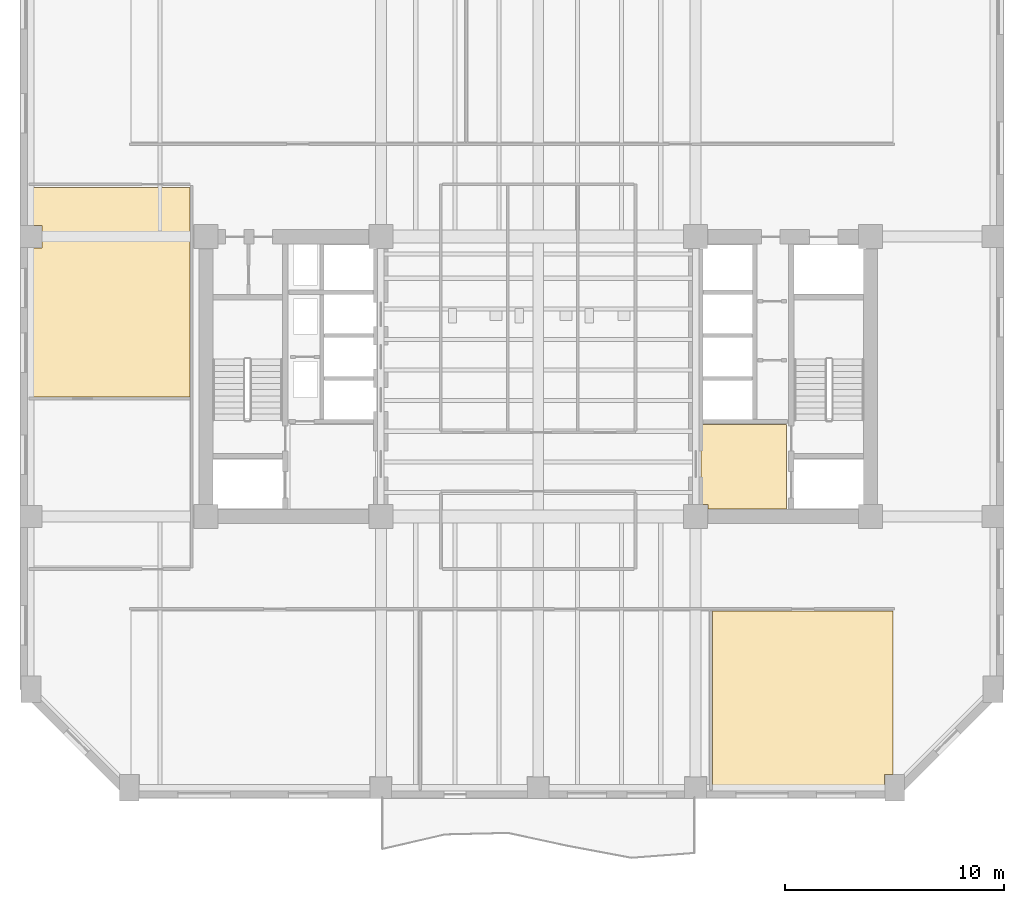
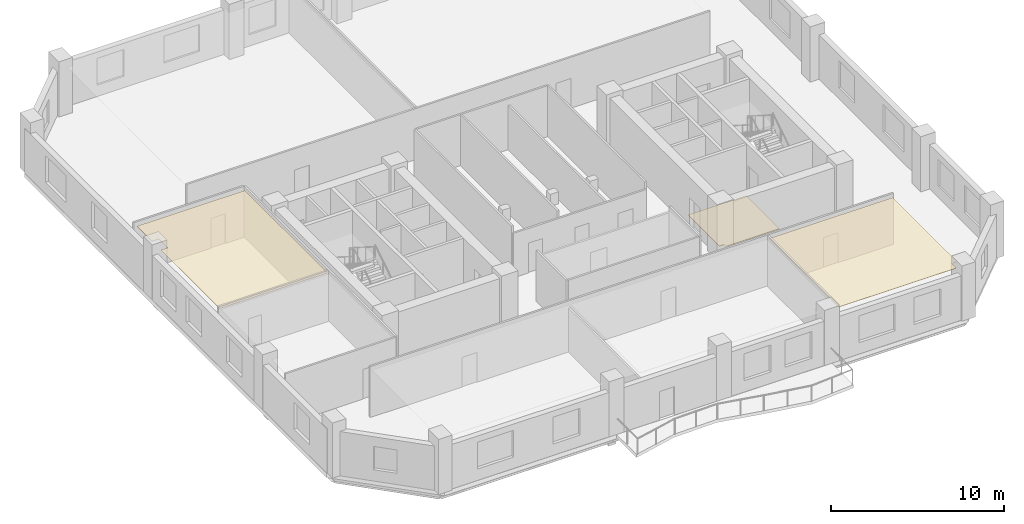
# One storey, part 7 of 10: 3 coverings.
"""IFC4 building model written with IfcOpenShell, lengths in metres."""

from ifc_helpers import new_model, si_unit, direction, frame, origin, place, context, subcontext, project, spatial, polyline, outline, extrude, material, layer, layer_set, type_object, element, save


model = new_model("IFC4")

# Units and contexts
model_context = context("Model", 3, precision=1e-05, world=origin(), true_north=direction((0.0, 1.0)))
body_context = subcontext(model_context, "Body", "Model", "MODEL_VIEW")
ifc_project = project(units=[si_unit("LENGTHUNIT", "METRE"), si_unit("AREAUNIT", "SQUARE_METRE"), si_unit("VOLUMEUNIT", "CUBIC_METRE"), si_unit("PLANEANGLEUNIT", "RADIAN"), si_unit("MASSUNIT", "GRAM", prefix="KILO")], contexts=[model_context])

# Site, building, storey
site_placement = place(None, origin())
site = spatial("IfcSite", under=ifc_project, at=site_placement, CompositionType="ELEMENT")
building_placement = place(site_placement, origin())
building = spatial("IfcBuilding", under=site, at=building_placement, Name="Kranthara Brick Stack", CompositionType="ELEMENT")
storey_placement = place(building_placement, frame((0.0, 0.0, 98.39990234375)))
storey = spatial("IfcBuildingStorey", under=building, at=storey_placement, Name="L24", CompositionType="ELEMENT", Elevation=98.39990234375)

# Coverings
ifc_material_1 = material(Name="Perforated mineral-fibre acoustic ceiling tile", Category="other")
ifc_layer_1 = layer(ifc_material_1, 0.02490234375)
ifc_layer_set_1 = layer_set([ifc_layer_1], Name="Perforated mineral-fibre acoustic ceiling tile")
covering_type_1 = type_object("IfcCoveringType", Name="COV-CEIL-ACOUSTIC", PredefinedType="CEILING", material=ifc_layer_set_1)
covering_1_placement = place(storey_placement, frame((0.0, 0.0, 3.330078125)))
element("IfcCovering", 1, at=covering_1_placement, inside=storey, type_object=covering_type_1, Name="L24 L24 Boardroom 3 Acoustic Ceiling", PredefinedType="CEILING", context=body_context, shape_type="SweptSolid", body=[
    extrude(outline(polyline([(35.97998046875, 8.469970703125), (35.97998046875, 16.47998046875), (44.219970703125, 16.47998046875), (44.219970703125, 9.010009765625), (43.840087890625, 9.010009765625), (43.840087890625, 8.469970703125), (35.97998046875, 8.469970703125)])), origin(), (0.0, 0.0, 1.0), 0.02490234375),
])
covering_2_placement = place(storey_placement, frame((0.0, 0.0, 3.330078125)))
element("IfcCovering", 2, at=covering_2_placement, inside=storey, type_object=covering_type_1, Name="L24 L24 West Executive Office 2 Acoustic Ceiling", PredefinedType="CEILING", context=body_context, shape_type="SweptSolid", body=[
    extrude(outline(polyline([(4.8701171875, 35.860107421875), (12.080078125, 35.860107421875), (12.080078125, 26.260009765625), (4.8701171875, 26.260009765625), (4.8701171875, 33.090087890625), (5.31005859375, 33.090087890625), (5.31005859375, 34.110107421875), (4.8701171875, 34.110107421875), (4.8701171875, 35.860107421875)])), origin(), (0.0, 0.0, 1.0), 0.02490234375),
])
ifc_material_2 = material(Name="Honed terrazzo and porcelain floor finish", Category="stone")
ifc_layer_2 = layer(ifc_material_2, 0.030029296875)
ifc_layer_set_2 = layer_set([ifc_layer_2], Name="Honed terrazzo and porcelain floor finish")
covering_type_2 = type_object("IfcCoveringType", Name="COV-FLOR-STONE", PredefinedType="FLOORING", material=ifc_layer_set_2)
covering_3_placement = place(storey_placement, origin())
element("IfcCovering", 3, at=covering_3_placement, inside=storey, type_object=covering_type_2, Name="L24 Lift Lobby Stone Flooring", PredefinedType="FLOORING", context=body_context, shape_type="SweptSolid", body=[
    extrude(outline(polyline([(35.449951171875, 25.0), (39.35009765625, 25.0), (39.35009765625, 21.14990234375), (35.760009765625, 21.14990234375), (35.760009765625, 21.360107421875), (35.449951171875, 21.360107421875), (35.449951171875, 25.0)])), origin(), (0.0, 0.0, 1.0), 0.030029296875),
])

save(model, "model.ifc")
